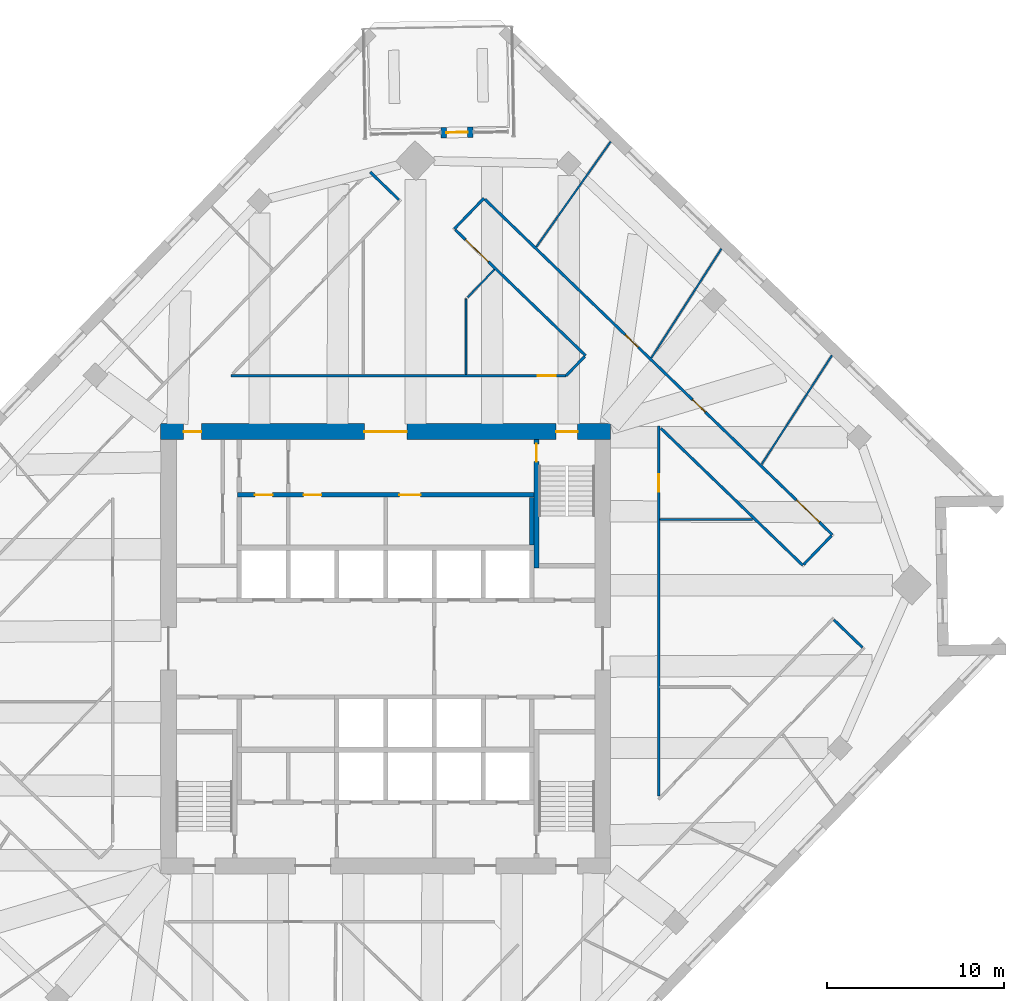
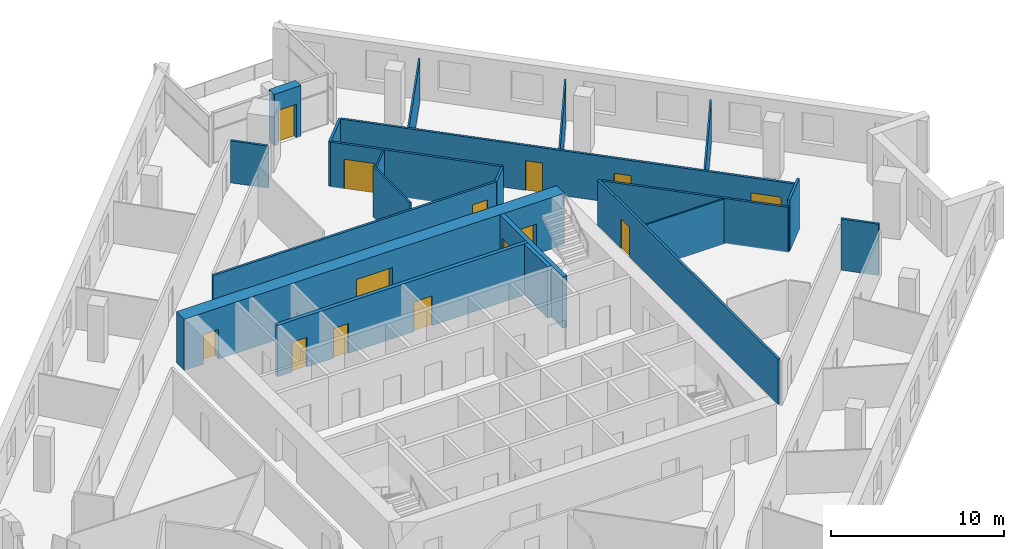
# One storey, part 10 of 13: 21 walls, 14 doors, 14 openings.
"""IFC4 building model written with IfcOpenShell, lengths in metres."""

from ifc_helpers import new_model, si_unit, direction, frame, frame_2d, origin, place, context, subcontext, project, spatial, rectangle, extrude, material, layer, layer_set, type_object, element, fill, save


model = new_model("IFC4")

# Units and contexts
model_context = context("Model", 3, precision=1e-05, world=origin(), true_north=direction((0.0, 1.0)))
body_context = subcontext(model_context, "Body", "Model", "MODEL_VIEW")
ifc_project = project(units=[si_unit("LENGTHUNIT", "METRE"), si_unit("AREAUNIT", "SQUARE_METRE"), si_unit("VOLUMEUNIT", "CUBIC_METRE"), si_unit("PLANEANGLEUNIT", "RADIAN"), si_unit("MASSUNIT", "GRAM", prefix="KILO")], contexts=[model_context])

# Site, building, storey
site_placement = place(None, origin())
site = spatial("IfcSite", under=ifc_project, at=site_placement, CompositionType="ELEMENT")
building_placement = place(site_placement, origin())
building = spatial("IfcBuilding", under=site, at=building_placement, Name="Dilmun Exchange Tower", CompositionType="ELEMENT")
storey_placement = place(building_placement, frame((0.0, 0.0, 213.300048828125)))
storey = spatial("IfcBuildingStorey", under=building, at=storey_placement, Name="L50", CompositionType="ELEMENT", Elevation=213.300048828125)

# Wall
ifc_material_1 = material(Name="Concrete C40/50", Category="concrete")
ifc_layer_1 = layer(ifc_material_1, 0.25)
ifc_layer_set_1 = layer_set([ifc_layer_1], Name="Concrete C40/50")
wall_type_1 = type_object("IfcWallType", Name="Core partition wall 250", PredefinedType="PARTITIONING", material=ifc_layer_set_1)
wall_1_placement = place(storey_placement, frame((8.25, 5.85498046875, 0.0), z_axis=(0.0, 0.0, 1.0), x_axis=(0.0, 1.0, 0.0)))
element("IfcWall", 1, at=wall_1_placement, inside=storey, type_object=wall_type_1, Name="L50 core partition wall 19", PredefinedType="PARTITIONING", context=body_context, shape_type="SweptSolid", body=[
    extrude(rectangle(XDim=2.68994140625, YDim=0.25, at=frame_2d((1.344970703125, 0.0))), origin(), (0.0, 0.0, 1.0), 3.619873046875),
])

# Wall, openings, doors
wall_2_placement = place(storey_placement, frame((-8.35009765625, 8.675048828125, 0.0), z_axis=(0.0, 0.0, 1.0), x_axis=(1.0, 0.0, 0.0)))
wall_2 = element("IfcWall", 2, at=wall_2_placement, inside=storey, type_object=wall_type_1, Name="L50 core partition wall 20", PredefinedType="PARTITIONING", context=body_context, shape_type="SweptSolid", body=[
    extrude(rectangle(XDim=16.72021484375, YDim=0.25, at=frame_2d((8.360107421875, 0.0))), origin(), (0.0, 0.0, 1.0), 3.619873046875),
])
opening_1_placement = place(wall_2_placement, frame((0.97509765625, 0.0, 0.0)))
opening_1 = element("IfcOpeningElement", 3, at=opening_1_placement, cuts=wall_2, Name="Opening CD4", PredefinedType="OPENING", context=body_context, shape_type="SweptSolid", body=[
    extrude(rectangle(XDim=1.0, YDim=2.10009765625, at=frame_2d((0.5, 1.050048828125))), frame((0.0, 0.135009765625, 0.0), z_axis=(0.0, -1.0, 0.0), x_axis=(1.0, 0.0, 0.0)), (0.0, 0.0, 1.0), 0.27001953125),
])
opening_2_placement = place(wall_2_placement, frame((3.72509765625, 0.0, 0.0)))
opening_2 = element("IfcOpeningElement", 4, at=opening_2_placement, cuts=wall_2, Name="Opening CD4", PredefinedType="OPENING", context=body_context, shape_type="SweptSolid", body=[
    extrude(rectangle(XDim=1.0, YDim=2.10009765625, at=frame_2d((0.5, 1.050048828125))), frame((0.0, 0.135009765625, 0.0), z_axis=(0.0, -1.0, 0.0), x_axis=(1.0, 0.0, 0.0)), (0.0, 0.0, 1.0), 0.27001953125),
])
opening_3_placement = place(wall_2_placement, frame((9.125, 0.0, 0.0)))
opening_3 = element("IfcOpeningElement", 5, at=opening_3_placement, cuts=wall_2, Name="Opening CD3", PredefinedType="OPENING", context=body_context, shape_type="SweptSolid", body=[
    extrude(rectangle(XDim=1.199951171875, YDim=2.10009765625, at=frame_2d((0.60009765625, 1.050048828125))), frame((0.0, 0.135009765625, 0.0), z_axis=(0.0, -1.0, 0.0), x_axis=(1.0, 0.0, 0.0)), (0.0, 0.0, 1.0), 0.27001953125),
])
ifc_material_2 = material(Name="Fire-rated steel door set", Category="steel")
door_type_1 = type_object("IfcDoorType", Name="Core room door 1000x2100", OperationType="SINGLE_SWING_LEFT", PredefinedType="DOOR", material=ifc_material_2)
door_1_placement = place(opening_1_placement, origin())
door_1 = element("IfcDoor", 6, at=door_1_placement, inside=storey, type_object=door_type_1, Name="L50 door Pantry", OperationType="SINGLE_SWING_LEFT", OverallHeight=2.10009765625, OverallWidth=1.0, PredefinedType="DOOR", context=body_context, shape_type="SweptSolid", body=[
    extrude(rectangle(XDim=1.0, YDim=2.10009765625, at=frame_2d((0.5, 1.050048828125))), frame((0.0, 0.02490234375, 0.0), z_axis=(0.0, -1.0, 0.0), x_axis=(1.0, 0.0, 0.0)), (0.0, 0.0, 1.0), 0.050048828125),
])
fill(opening_1, door_1)
door_2_placement = place(opening_2_placement, origin())
door_2 = element("IfcDoor", 7, at=door_2_placement, inside=storey, type_object=door_type_1, Name="L50 door Switch room", OperationType="SINGLE_SWING_LEFT", OverallHeight=2.10009765625, OverallWidth=1.0, PredefinedType="DOOR", context=body_context, shape_type="SweptSolid", body=[
    extrude(rectangle(XDim=1.0, YDim=2.10009765625, at=frame_2d((0.5, 1.050048828125))), frame((0.0, 0.02490234375, 0.0), z_axis=(0.0, -1.0, 0.0), x_axis=(1.0, 0.0, 0.0)), (0.0, 0.0, 1.0), 0.050048828125),
])
fill(opening_2, door_2)
door_type_2 = type_object("IfcDoorType", Name="Stair exit door 1200x2100", OperationType="SINGLE_SWING_LEFT", PredefinedType="DOOR", material=ifc_material_2)
door_3_placement = place(opening_3_placement, origin())
door_3 = element("IfcDoor", 8, at=door_3_placement, inside=storey, type_object=door_type_2, Name="L50 door Quiet working room", OperationType="SINGLE_SWING_LEFT", OverallHeight=2.10009765625, OverallWidth=1.199951171875, PredefinedType="DOOR", context=body_context, shape_type="SweptSolid", body=[
    extrude(rectangle(XDim=1.199951171875, YDim=2.10009765625, at=frame_2d((0.60009765625, 1.050048828125))), frame((0.0, 0.02490234375, 0.0), z_axis=(0.0, -1.0, 0.0), x_axis=(1.0, 0.0, 0.0)), (0.0, 0.0, 1.0), 0.050048828125),
])
fill(opening_3, door_3)

ifc_material_3 = material(Name="Concrete C60/75", Category="concrete")
ifc_layer_2 = layer(ifc_material_3, 0.89990234375)
ifc_layer_set_2 = layer_set([ifc_layer_2], Name="Concrete C60/75")
wall_type_2 = type_object("IfcWallType", Name="Core shear wall 900 Concrete C60/75", PredefinedType="SHEAR", material=ifc_layer_set_2)
wall_3_placement = place(storey_placement, frame((-12.699951171875, 12.25, 0.0), z_axis=(0.0, 0.0, 1.0), x_axis=(1.0, 0.0, 0.0)))
wall_3 = element("IfcWall", 9, at=wall_3_placement, inside=storey, type_object=wall_type_2, Name="L50 core shear wall N", PredefinedType="SHEAR", context=body_context, shape_type="SweptSolid", body=[
    extrude(rectangle(XDim=25.39990234375, YDim=0.89990234375, at=frame_2d((12.699951171875, 0.0))), origin(), (0.0, 0.0, 1.0), 3.619873046875),
])
opening_4_placement = place(wall_3_placement, frame((11.5, 0.0, 0.0)))
opening_4 = element("IfcOpeningElement", 10, at=opening_4_placement, cuts=wall_3, Name="Opening CD1", PredefinedType="OPENING", context=body_context, shape_type="SweptSolid", body=[
    extrude(rectangle(XDim=2.39990234375, YDim=2.39990234375, at=frame_2d((1.199951171875, 1.199951171875))), frame((0.0, 0.4599609375, 0.0), z_axis=(0.0, -1.0, 0.0), x_axis=(1.0, 0.0, 0.0)), (0.0, 0.0, 1.0), 0.919921875),
])
opening_5_placement = place(wall_3_placement, frame((22.324951171875, 0.0, 0.0)))
opening_5 = element("IfcOpeningElement", 11, at=opening_5_placement, cuts=wall_3, Name="Opening CD3", PredefinedType="OPENING", context=body_context, shape_type="SweptSolid", body=[
    extrude(rectangle(XDim=1.199951171875, YDim=2.10009765625, at=frame_2d((0.60009765625, 1.050048828125))), frame((0.0, 0.4599609375, 0.0), z_axis=(0.0, -1.0, 0.0), x_axis=(1.0, 0.0, 0.0)), (0.0, 0.0, 1.0), 0.919921875),
])
opening_6_placement = place(wall_3_placement, frame((1.300048828125, 0.0, 0.0)))
opening_6 = element("IfcOpeningElement", 12, at=opening_6_placement, cuts=wall_3, Name="Opening CD4", PredefinedType="OPENING", context=body_context, shape_type="SweptSolid", body=[
    extrude(rectangle(XDim=1.0, YDim=2.10009765625, at=frame_2d((0.5, 1.050048828125))), frame((0.0, 0.4599609375, 0.0), z_axis=(0.0, -1.0, 0.0), x_axis=(1.0, 0.0, 0.0)), (0.0, 0.0, 1.0), 0.919921875),
])
door_type_3 = type_object("IfcDoorType", Name="Core lobby door 2400x2400", OperationType="DOUBLE_DOOR_DOUBLE_SWING", PredefinedType="DOOR", material=ifc_material_2)
door_4_placement = place(opening_4_placement, origin())
door_4 = element("IfcDoor", 13, at=door_4_placement, inside=storey, type_object=door_type_3, Name="L50 door North lift lobby", OperationType="SINGLE_SWING_LEFT", OverallHeight=2.39990234375, OverallWidth=2.39990234375, PredefinedType="DOOR", context=body_context, shape_type="SweptSolid", body=[
    extrude(rectangle(XDim=2.39990234375, YDim=2.39990234375, at=frame_2d((1.199951171875, 1.199951171875))), frame((0.0, 0.02490234375, 0.0), z_axis=(0.0, -1.0, 0.0), x_axis=(1.0, 0.0, 0.0)), (0.0, 0.0, 1.0), 0.050048828125),
])
fill(opening_4, door_4)
door_5_placement = place(opening_6_placement, origin())
door_5 = element("IfcDoor", 14, at=door_5_placement, inside=storey, type_object=door_type_1, Name="L50 door North-west core rooms", OperationType="SINGLE_SWING_LEFT", OverallHeight=2.10009765625, OverallWidth=1.0, PredefinedType="DOOR", context=body_context, shape_type="SweptSolid", body=[
    extrude(rectangle(XDim=1.0, YDim=2.10009765625, at=frame_2d((0.5, 1.050048828125))), frame((0.0, 0.02490234375, 0.0), z_axis=(0.0, -1.0, 0.0), x_axis=(1.0, 0.0, 0.0)), (0.0, 0.0, 1.0), 0.050048828125),
])
fill(opening_6, door_5)
door_6_placement = place(opening_5_placement, origin())
door_6 = element("IfcDoor", 15, at=door_6_placement, inside=storey, type_object=door_type_2, Name="L50 door Stair ST1", OperationType="SINGLE_SWING_LEFT", OverallHeight=2.10009765625, OverallWidth=1.199951171875, PredefinedType="DOOR", context=body_context, shape_type="SweptSolid", body=[
    extrude(rectangle(XDim=1.199951171875, YDim=2.10009765625, at=frame_2d((0.60009765625, 1.050048828125))), frame((0.0, 0.02490234375, 0.0), z_axis=(0.0, -1.0, 0.0), x_axis=(1.0, 0.0, 0.0)), (0.0, 0.0, 1.0), 0.050048828125),
])
fill(opening_5, door_6)

# Wall, opening, door
ifc_material_4 = material(Name="Corridor wall 150")
ifc_layer_3 = layer(ifc_material_4, 0.14990234375)
ifc_layer_set_3 = layer_set([ifc_layer_3], Name="Corridor wall 150")
wall_type_3 = type_object("IfcWallType", Name="Corridor wall 150", PredefinedType="PARTITIONING", material=ifc_layer_set_3)
wall_4_placement = place(storey_placement, frame((-8.737060546875, 15.39990234375, 0.0), z_axis=(0.0, 0.0, 1.0), x_axis=(1.0, 0.0, 0.0)))
wall_4 = element("IfcWall", 16, at=wall_4_placement, inside=storey, type_object=wall_type_3, Name="Corridor wall", PredefinedType="PARTITIONING", context=body_context, shape_type="SweptSolid", body=[
    extrude(rectangle(XDim=18.916015625, YDim=0.14990234375, at=frame_2d((9.4580078125, 0.0))), origin(), (0.0, 0.0, 1.0), 3.169921875),
])
opening_7_placement = place(wall_4_placement, frame((17.3212890625, 0.0, 0.0)))
opening_7 = element("IfcOpeningElement", 17, at=opening_7_placement, cuts=wall_4, Name="Opening TF48-D15", PredefinedType="OPENING", context=body_context, shape_type="SweptSolid", body=[
    extrude(rectangle(XDim=1.0, YDim=2.10009765625, at=frame_2d((0.5, 1.050048828125))), frame((0.0, 0.0849609375, 0.0), z_axis=(0.0, -1.0, 0.0), x_axis=(1.0, 0.0, 0.0)), (0.0, 0.0, 1.0), 0.169921875),
])
ifc_material_5 = material(Name="Fire door 1000 x 2100")
door_type_4 = type_object("IfcDoorType", Name="Fire door 1000 x 2100", OperationType="NOTDEFINED", PredefinedType="DOOR", material=ifc_material_5)
door_7_placement = place(opening_7_placement, origin())
door_7 = element("IfcDoor", 18, at=door_7_placement, inside=storey, type_object=door_type_4, Name="Door TF48-D15", OperationType="SINGLE_SWING_LEFT", OverallHeight=2.10009765625, OverallWidth=1.0, PredefinedType="DOOR", context=body_context, shape_type="SweptSolid", body=[
    extrude(rectangle(XDim=1.0, YDim=2.10009765625, at=frame_2d((0.5, 1.050048828125))), frame((0.0, 0.02490234375, 0.0), z_axis=(0.0, -1.0, 0.0), x_axis=(1.0, 0.0, 0.0)), (0.0, 0.0, 1.0), 0.050048828125),
])
fill(opening_7, door_7)

# Walls
wall_5_placement = place(storey_placement, frame((-0.87109375, 26.891845703125, 0.0), z_axis=(0.0, 0.0, 1.0), x_axis=(0.719526700113, -0.694464777959, 0.0)))
element("IfcWall", 19, at=wall_5_placement, inside=storey, type_object=wall_type_3, Name="Corridor wall", PredefinedType="PARTITIONING", context=body_context, shape_type="SweptSolid", body=[
    extrude(rectangle(XDim=2.250244140625, YDim=0.14990234375, at=frame_2d((1.125, 0.0))), origin(), (0.0, 0.0, 1.0), 2.969970703125),
])
wall_6_placement = place(storey_placement, frame((3.8759765625, 23.68798828125, 0.0), z_axis=(0.0, 0.0, 1.0), x_axis=(0.694688923552, 0.719310294305, 0.0)))
element("IfcWall", 20, at=wall_6_placement, inside=storey, type_object=wall_type_3, Name="Corridor wall", PredefinedType="PARTITIONING", context=body_context, shape_type="SweptSolid", body=[
    extrude(rectangle(XDim=2.399658203125, YDim=0.14990234375, at=frame_2d((1.19970703125, 0.0))), origin(), (0.0, 0.0, 1.0), 3.169921875),
])

# Wall, opening, door
wall_7_placement = place(storey_placement, frame((3.929931640625, 23.635986328125, 0.0), z_axis=(0.0, 0.0, 1.0), x_axis=(0.719341752701, -0.694656348723, 0.0)))
wall_7 = element("IfcWall", 21, at=wall_7_placement, inside=storey, type_object=wall_type_3, Name="Corridor wall", PredefinedType="PARTITIONING", context=body_context, shape_type="SweptSolid", body=[
    extrude(rectangle(XDim=10.216552734375, YDim=0.14990234375, at=frame_2d((5.1083984375, 0.0))), origin(), (0.0, 0.0, 1.0), 3.169921875),
])
opening_8_placement = place(wall_7_placement, frame((0.800048828125, 0.0, 0.0)))
opening_8 = element("IfcOpeningElement", 22, at=opening_8_placement, cuts=wall_7, Name="Opening TF48-D11", PredefinedType="OPENING", context=body_context, shape_type="SweptSolid", body=[
    extrude(rectangle(XDim=1.800048828125, YDim=2.10009765625, at=frame_2d((0.89990234375, 1.050048828125))), frame((0.0, 0.0849609375, 0.0), z_axis=(0.0, -1.0, 0.0), x_axis=(1.0, 0.0, 0.0)), (0.0, 0.0, 1.0), 0.169921875),
])
ifc_material_6 = material(Name="Fire door pair 1800 x 2100")
door_type_5 = type_object("IfcDoorType", Name="Fire door pair 1800 x 2100", OperationType="NOTDEFINED", PredefinedType="DOOR", material=ifc_material_6)
door_8_placement = place(opening_8_placement, frame((1.800048828125, 0.0, 0.0), z_axis=(0.0, 0.0, 1.0), x_axis=(-1.0, 0.0, 0.0)))
door_8 = element("IfcDoor", 23, at=door_8_placement, inside=storey, type_object=door_type_5, Name="Door TF48-D11", OperationType="DOUBLE_DOOR_SINGLE_SWING", OverallHeight=2.10009765625, OverallWidth=1.800048828125, PredefinedType="DOOR", context=body_context, shape_type="SweptSolid", body=[
    extrude(rectangle(XDim=1.800048828125, YDim=2.10009765625, at=frame_2d((0.89990234375, 1.050048828125))), frame((0.0, 0.02490234375, 0.0), z_axis=(0.0, -1.0, 0.0), x_axis=(1.0, 0.0, 0.0)), (0.0, 0.0, 1.0), 0.050048828125),
])
fill(opening_8, door_8)

# Wall, openings, doors
wall_8_placement = place(storey_placement, frame((5.596923828125, 25.36181640625, 0.0), z_axis=(0.0, 0.0, 1.0), x_axis=(0.719350067003, -0.69464773886, 0.0)))
wall_8 = element("IfcWall", 24, at=wall_8_placement, inside=storey, type_object=wall_type_3, Name="Corridor wall", PredefinedType="PARTITIONING", context=body_context, shape_type="SweptSolid", body=[
    extrude(rectangle(XDim=27.258056640625, YDim=0.14990234375, at=frame_2d((13.62890625, 0.0))), origin(), (0.0, 0.0, 1.0), 3.169921875),
])
opening_9_placement = place(wall_8_placement, frame((11.01708984375, 0.0, 0.0)))
opening_9 = element("IfcOpeningElement", 25, at=opening_9_placement, cuts=wall_8, Name="Opening TF48-D17", PredefinedType="OPENING", context=body_context, shape_type="SweptSolid", body=[
    extrude(rectangle(XDim=1.0, YDim=2.10009765625, at=frame_2d((0.5, 1.050048828125))), frame((0.0, 0.0849609375, 0.0), z_axis=(0.0, -1.0, 0.0), x_axis=(1.0, 0.0, 0.0)), (0.0, 0.0, 1.0), 0.169921875),
])
opening_10_placement = place(wall_8_placement, frame((16.287109375, 0.0, 0.0)))
opening_10 = element("IfcOpeningElement", 26, at=opening_10_placement, cuts=wall_8, Name="Opening TF48-D21", PredefinedType="OPENING", context=body_context, shape_type="SweptSolid", body=[
    extrude(rectangle(XDim=1.0, YDim=2.10009765625, at=frame_2d((0.5, 1.050048828125))), frame((0.0, 0.0849609375, 0.0), z_axis=(0.0, -1.0, 0.0), x_axis=(1.0, 0.0, 0.0)), (0.0, 0.0, 1.0), 0.169921875),
])
opening_11_placement = place(wall_8_placement, frame((24.435302734375, 0.0, 0.0)))
opening_11 = element("IfcOpeningElement", 27, at=opening_11_placement, cuts=wall_8, Name="Opening TF48-D23", PredefinedType="OPENING", context=body_context, shape_type="SweptSolid", body=[
    extrude(rectangle(XDim=1.800048828125, YDim=2.10009765625, at=frame_2d((0.89990234375, 1.050048828125))), frame((0.0, 0.0849609375, 0.0), z_axis=(0.0, -1.0, 0.0), x_axis=(1.0, 0.0, 0.0)), (0.0, 0.0, 1.0), 0.169921875),
])
door_9_placement = place(opening_9_placement, origin())
door_9 = element("IfcDoor", 28, at=door_9_placement, inside=storey, type_object=door_type_4, Name="Door TF48-D17", OperationType="SINGLE_SWING_LEFT", OverallHeight=2.10009765625, OverallWidth=1.0, PredefinedType="DOOR", context=body_context, shape_type="SweptSolid", body=[
    extrude(rectangle(XDim=1.0, YDim=2.10009765625, at=frame_2d((0.5, 1.050048828125))), frame((0.0, 0.02490234375, 0.0), z_axis=(0.0, -1.0, 0.0), x_axis=(1.0, 0.0, 0.0)), (0.0, 0.0, 1.0), 0.050048828125),
])
fill(opening_9, door_9)
door_10_placement = place(opening_10_placement, origin())
door_10 = element("IfcDoor", 29, at=door_10_placement, inside=storey, type_object=door_type_4, Name="Door TF48-D21", OperationType="SINGLE_SWING_LEFT", OverallHeight=2.10009765625, OverallWidth=1.0, PredefinedType="DOOR", context=body_context, shape_type="SweptSolid", body=[
    extrude(rectangle(XDim=1.0, YDim=2.10009765625, at=frame_2d((0.5, 1.050048828125))), frame((0.0, 0.02490234375, 0.0), z_axis=(0.0, -1.0, 0.0), x_axis=(1.0, 0.0, 0.0)), (0.0, 0.0, 1.0), 0.050048828125),
])
fill(opening_10, door_10)
door_11_placement = place(opening_11_placement, origin())
door_11 = element("IfcDoor", 30, at=door_11_placement, inside=storey, type_object=door_type_5, Name="Door TF48-D23", OperationType="DOUBLE_DOOR_SINGLE_SWING", OverallHeight=2.10009765625, OverallWidth=1.800048828125, PredefinedType="DOOR", context=body_context, shape_type="SweptSolid", body=[
    extrude(rectangle(XDim=1.800048828125, YDim=2.10009765625, at=frame_2d((0.89990234375, 1.050048828125))), frame((0.0, 0.02490234375, 0.0), z_axis=(0.0, -1.0, 0.0), x_axis=(1.0, 0.0, 0.0)), (0.0, 0.0, 1.0), 0.050048828125),
])
fill(opening_11, door_11)

# Wall
wall_9_placement = place(storey_placement, frame((10.179931640625, 15.39990234375, 0.0), z_axis=(0.0, 0.0, 1.0), x_axis=(0.694282379976, 0.719702700325, 0.0)))
element("IfcWall", 31, at=wall_9_placement, inside=storey, type_object=wall_type_3, Name="Corridor wall", PredefinedType="PARTITIONING", context=body_context, shape_type="SweptSolid", body=[
    extrude(rectangle(XDim=1.5078125, YDim=0.14990234375, at=frame_2d((0.75390625, 0.0))), origin(), (0.0, 0.0, 1.0), 3.169921875),
])

# Wall, opening, door
wall_10_placement = place(storey_placement, frame((15.39990234375, -8.314453125, 0.0), z_axis=(0.0, 0.0, 1.0), x_axis=(0.0, 1.0, 0.0)))
wall_10 = element("IfcWall", 32, at=wall_10_placement, inside=storey, type_object=wall_type_3, Name="Corridor wall", PredefinedType="PARTITIONING", context=body_context, shape_type="SweptSolid", body=[
    extrude(rectangle(XDim=20.87353515625, YDim=0.14990234375, at=frame_2d((10.436767578125, 0.0))), origin(), (0.0, 0.0, 1.0), 3.169921875),
])
opening_12_placement = place(wall_10_placement, frame((17.15771484375, 0.0, 0.0)))
opening_12 = element("IfcOpeningElement", 33, at=opening_12_placement, cuts=wall_10, Name="Opening TF48-D19", PredefinedType="OPENING", context=body_context, shape_type="SweptSolid", body=[
    extrude(rectangle(XDim=1.0, YDim=2.10009765625, at=frame_2d((0.5, 1.050048828125))), frame((0.0, 0.0849609375, 0.0), z_axis=(0.0, -1.0, 0.0), x_axis=(1.0, 0.0, 0.0)), (0.0, 0.0, 1.0), 0.169921875),
])
door_12_placement = place(opening_12_placement, frame((1.0, 0.0, 0.0), z_axis=(0.0, 0.0, 1.0), x_axis=(-1.0, 0.0, 0.0)))
door_12 = element("IfcDoor", 34, at=door_12_placement, inside=storey, type_object=door_type_4, Name="Door TF48-D19", OperationType="SINGLE_SWING_RIGHT", OverallHeight=2.10009765625, OverallWidth=1.0, PredefinedType="DOOR", context=body_context, shape_type="SweptSolid", body=[
    extrude(rectangle(XDim=1.0, YDim=2.10009765625, at=frame_2d((0.5, 1.050048828125))), frame((0.0, 0.02490234375, 0.0), z_axis=(0.0, -1.0, 0.0), x_axis=(1.0, 0.0, 0.0)), (0.0, 0.0, 1.0), 0.050048828125),
])
fill(opening_12, door_12)

# Walls
wall_11_placement = place(storey_placement, frame((15.527099609375, 12.436279296875, 0.0), z_axis=(0.0, 0.0, 1.0), x_axis=(0.719374261493, -0.694622683118, 0.0)))
element("IfcWall", 35, at=wall_11_placement, inside=storey, type_object=wall_type_3, Name="Corridor wall", PredefinedType="PARTITIONING", context=body_context, shape_type="SweptSolid", body=[
    extrude(rectangle(XDim=11.135986328125, YDim=0.14990234375, at=frame_2d((5.56787109375, 0.0))), origin(), (0.0, 0.0, 1.0), 3.169921875),
])
for number, where, z_axis, x_axis, name in (
    (36, (23.590087890625, 4.7548828125, 0.0), (0.0, 0.0, 1.0), (0.694681664174, 0.719317305131, 0.0), "Corridor wall"),
    (37, (25.287841796875, 1.630859375, 0.0), (0.0, 0.0, 1.0), (0.719317305131, -0.694681664174, 0.0), "Corridor wall"),
):
    element("IfcWall", number, at=place(storey_placement, frame(where, z_axis=z_axis, x_axis=x_axis)), inside=storey, type_object=wall_type_3, Name=name, PredefinedType="PARTITIONING", context=body_context, shape_type="SweptSolid", body=[
        extrude(rectangle(XDim=2.24951171875, YDim=0.14990234375, at=frame_2d((1.124755859375, 0.0))), origin(), (0.0, 0.0, 1.0), 3.619873046875),
    ])
ifc_material_7 = material(Name="Partition 100")
ifc_layer_4 = layer(ifc_material_7, 0.10009765625)
ifc_layer_set_4 = layer_set([ifc_layer_4], Name="Partition 100")
wall_type_4 = type_object("IfcWallType", Name="Partition 100", PredefinedType="PARTITIONING", material=ifc_layer_set_4)
wall_12_placement = place(storey_placement, frame((4.533935546875, 15.47509765625, 0.0), z_axis=(0.0, 0.0, 1.0), x_axis=(0.0, 1.0, 0.0)))
element("IfcWall", 38, at=wall_12_placement, inside=storey, type_object=wall_type_4, Name="Partition", PredefinedType="PARTITIONING", context=body_context, shape_type="SweptSolid", body=[
    extrude(rectangle(XDim=4.2568359375, YDim=0.10009765625, at=frame_2d((2.12841796875, 0.0))), origin(), (0.0, 0.0, 1.0), 3.619873046875),
])
wall_13_placement = place(storey_placement, frame((4.6201171875, 19.821044921875, 0.0), z_axis=(0.0, 0.0, 1.0), x_axis=(0.694620384486, 0.719376481028, 0.0)))
element("IfcWall", 39, at=wall_13_placement, inside=storey, type_object=wall_type_4, Name="Partition", PredefinedType="PARTITIONING", context=body_context, shape_type="SweptSolid", body=[
    extrude(rectangle(XDim=2.189208984375, YDim=0.10009765625, at=frame_2d((1.0947265625, 0.0))), origin(), (0.0, 0.0, 1.0), 3.169921875),
])
wall_14_placement = place(storey_placement, frame((8.503173828125, 22.67041015625, 0.0), z_axis=(0.0, 0.0, 1.0), x_axis=(0.576640998349, 0.816997649338, 0.0)))
element("IfcWall", 40, at=wall_14_placement, inside=storey, type_object=wall_type_4, Name="Partition", PredefinedType="PARTITIONING", context=body_context, shape_type="SweptSolid", body=[
    extrude(rectangle(XDim=7.2685546875, YDim=0.10009765625, at=frame_2d((3.63427734375, 0.0))), origin(), (0.0, 0.0, 1.0), 2.969970703125),
])
wall_15_placement = place(storey_placement, frame((14.99169921875, 16.40771484375, 0.0), z_axis=(0.0, 0.0, 1.0), x_axis=(0.54025368273, 0.841502203382, 0.0)))
element("IfcWall", 41, at=wall_15_placement, inside=storey, type_object=wall_type_4, Name="Partition", PredefinedType="PARTITIONING", context=body_context, shape_type="SweptSolid", body=[
    extrude(rectangle(XDim=7.322998046875, YDim=0.10009765625, at=frame_2d((3.66162109375, 0.0))), origin(), (0.0, 0.0, 1.0), 2.969970703125),
])
wall_16_placement = place(storey_placement, frame((15.47509765625, 7.29296875, 0.0), z_axis=(0.0, 0.0, 1.0), x_axis=(1.0, 0.0, 0.0)))
element("IfcWall", 42, at=wall_16_placement, inside=storey, type_object=wall_type_4, Name="Partition", PredefinedType="PARTITIONING", context=body_context, shape_type="SweptSolid", body=[
    extrude(rectangle(XDim=5.218017578125, YDim=0.10009765625, at=frame_2d((2.60888671875, 0.0))), origin(), (0.0, 0.0, 1.0), 3.169921875),
])
wall_17_placement = place(storey_placement, frame((21.212890625, 10.400390625, 0.0), z_axis=(0.0, 0.0, 1.0), x_axis=(0.542191446755, 0.840254982172, 0.0)))
element("IfcWall", 43, at=wall_17_placement, inside=storey, type_object=wall_type_4, Name="Partition", PredefinedType="PARTITIONING", context=body_context, shape_type="SweptSolid", body=[
    extrude(rectangle(XDim=7.3193359375, YDim=0.10009765625, at=frame_2d((3.65966796875, 0.0))), origin(), (0.0, 0.0, 1.0), 2.969970703125),
])

# Wall, opening, door
ifc_material_8 = material(Name="Precast concrete C50/60", Category="concrete")
ifc_layer_5 = layer(ifc_material_8, 0.60009765625)
ifc_layer_set_5 = layer_set([ifc_layer_5], Name="Precast concrete C50/60")
wall_type_5 = type_object("IfcWallType", Name="Precast stone-clad wall 600", PredefinedType="STANDARD", material=ifc_layer_set_5)
wall_18_placement = place(storey_placement, frame((4.927490234375, 29.145751953125, 0.0), z_axis=(0.0, 0.0, 1.0), x_axis=(-0.99984925639, -0.017362732983, 0.0)))
wall_18 = element("IfcWall", 44, at=wall_18_placement, inside=storey, type_object=wall_type_5, Name="Facade wall L50-01-D", PredefinedType="STANDARD", context=body_context, shape_type="SweptSolid", body=[
    extrude(rectangle(XDim=1.7998046875, YDim=0.60009765625, at=frame_2d((0.89990234375, 0.0))), origin(), (0.0, 0.0, 1.0), 3.619873046875),
])
opening_13_placement = place(wall_18_placement, frame((0.300048828125, 0.0, 0.0)))
opening_13 = element("IfcOpeningElement", 45, at=opening_13_placement, cuts=wall_18, Name="Opening GD-1", PredefinedType="OPENING", context=body_context, shape_type="SweptSolid", body=[
    extrude(rectangle(XDim=1.199951171875, YDim=2.39990234375, at=frame_2d((0.60009765625, 1.199951171875))), frame((0.0, 0.31005859375, 0.0), z_axis=(0.0, -1.0, 0.0), x_axis=(1.0, 0.0, 0.0)), (0.0, 0.0, 1.0), 0.6201171875),
])
ifc_material_9 = material(Name="Clear low-emissivity glass in aluminium frame", Category="aluminium")
door_type_6 = type_object("IfcDoorType", Name="Glazed garden door 1200 x 2400", OperationType="SINGLE_SWING_LEFT", PredefinedType="DOOR", material=ifc_material_9)
door_13_placement = place(opening_13_placement, origin())
door_13 = element("IfcDoor", 46, at=door_13_placement, inside=storey, type_object=door_type_6, Name="Garden terrace door", OperationType="SINGLE_SWING_LEFT", OverallHeight=2.39990234375, OverallWidth=1.199951171875, PredefinedType="DOOR", context=body_context, shape_type="SweptSolid", body=[
    extrude(rectangle(XDim=1.199951171875, YDim=2.39990234375, at=frame_2d((0.60009765625, 1.199951171875))), frame((0.0, 0.02490234375, 0.0), z_axis=(0.0, -1.0, 0.0), x_axis=(1.0, 0.0, 0.0)), (0.0, 0.0, 1.0), 0.050048828125),
])
fill(opening_13, door_13)

ifc_layer_6 = layer(ifc_material_1, 0.27490234375)
ifc_layer_set_6 = layer_set([ifc_layer_6], Name="Concrete C40/50")
wall_type_6 = type_object("IfcWallType", Name="Stair wall 275", PredefinedType="SOLIDWALL", material=ifc_layer_set_6)
wall_19_placement = place(storey_placement, frame((8.512451171875, 4.550048828125, 0.0), z_axis=(0.0, 0.0, 1.0), x_axis=(0.0, 1.0, 0.0)))
wall_19 = element("IfcWall", 47, at=wall_19_placement, inside=storey, type_object=wall_type_6, Name="L50 ST1 wall to lift block", PredefinedType="SOLIDWALL", context=body_context, shape_type="SweptSolid", body=[
    extrude(rectangle(XDim=7.25, YDim=0.27490234375, at=frame_2d((3.625, 0.0))), origin(), (0.0, 0.0, 1.0), 3.619873046875),
])
opening_14_placement = place(wall_19_placement, frame((6.0, 0.0, 0.0)))
opening_14 = element("IfcOpeningElement", 48, at=opening_14_placement, cuts=wall_19, Name="Opening CD4", PredefinedType="OPENING", context=body_context, shape_type="SweptSolid", body=[
    extrude(rectangle(XDim=1.0, YDim=2.10009765625, at=frame_2d((0.5, 1.050048828125))), frame((0.0, 0.1474609375, 0.0), z_axis=(0.0, -1.0, 0.0), x_axis=(1.0, 0.0, 0.0)), (0.0, 0.0, 1.0), 0.294921875),
])
door_14_placement = place(opening_14_placement, origin())
door_14 = element("IfcDoor", 49, at=door_14_placement, inside=storey, type_object=door_type_1, Name="L50 door ST1 from lobby", OperationType="SINGLE_SWING_LEFT", OverallHeight=2.10009765625, OverallWidth=1.0, PredefinedType="DOOR", context=body_context, shape_type="SweptSolid", body=[
    extrude(rectangle(XDim=1.0, YDim=2.10009765625, at=frame_2d((0.5, 1.050048828125))), frame((0.0, 0.02490234375, 0.0), z_axis=(0.0, -1.0, 0.0), x_axis=(1.0, 0.0, 0.0)), (0.0, 0.0, 1.0), 0.050048828125),
])
fill(opening_14, door_14)

save(model, "model.ifc")
